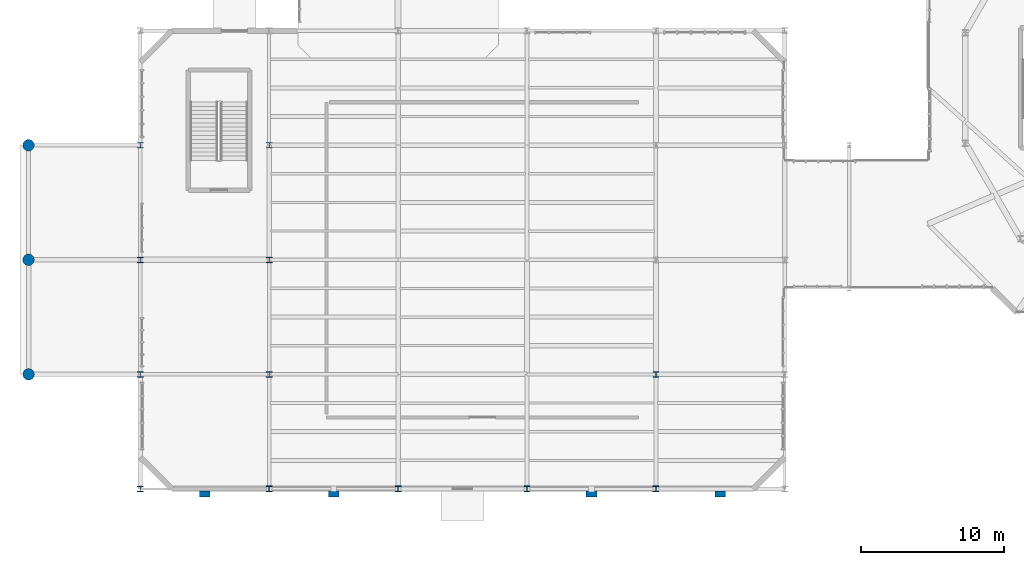
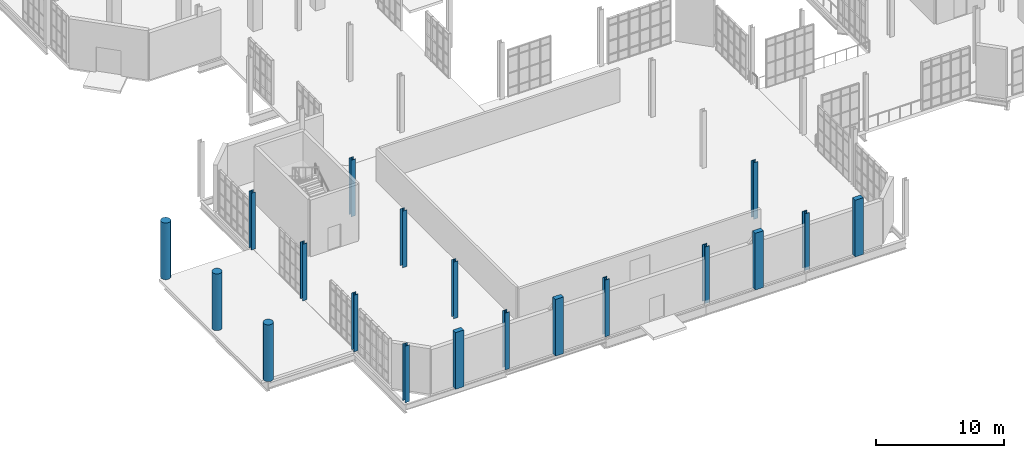
# One storey, part 1 of 189: 19 columns.
"""IFC4 building model written with IfcOpenShell, lengths in metres."""

from ifc_helpers import new_model, si_unit, direction, frame, origin, origin_2d, place, context, subcontext, project, spatial, rectangle, circle, i_section, extrude, material, material_profile, profile_set, type_object, element, save


model = new_model("IFC4")

# Units and contexts
model_context = context("Model", 3, precision=1e-05, world=origin(), true_north=direction((0.0, 1.0)))
body_context = subcontext(model_context, "Body", "Model", "MODEL_VIEW")
ifc_project = project(units=[si_unit("LENGTHUNIT", "METRE"), si_unit("AREAUNIT", "SQUARE_METRE"), si_unit("VOLUMEUNIT", "CUBIC_METRE"), si_unit("PLANEANGLEUNIT", "RADIAN"), si_unit("MASSUNIT", "GRAM", prefix="KILO"), si_unit("THERMODYNAMICTEMPERATUREUNIT", "KELVIN"), si_unit("POWERUNIT", "WATT")], contexts=[model_context])

# Site, building, storey
site_placement = place(None, origin())
site = spatial("IfcSite", under=ifc_project, at=site_placement, CompositionType="ELEMENT")
building_placement = place(site_placement, origin())
building = spatial("IfcBuilding", under=site, at=building_placement, Name="Zelmaris Science Centre", CompositionType="ELEMENT")
storey_placement = place(building_placement, origin())
storey = spatial("IfcBuildingStorey", under=building, at=storey_placement, Name="L00", CompositionType="ELEMENT", Elevation=0.0)

# Columns
ifc_material_1 = material(Name="Steel ASTM A992 Grade 50", Category="steel")
ifc_material_profile_1 = material_profile(ifc_material_1, i_section(OverallWidth=0.406005859375, OverallDepth=0.4169921875, WebThickness=0.02978515625, FlangeThickness=0.04443359375, FilletRadius=0.014892578125, at=origin_2d()), Name="W14X257")
ifc_profile_set_1 = profile_set([ifc_material_profile_1], Name="Steel ASTM A992 Grade 50")
column_type_1 = type_object("IfcColumnType", Name="Column C-02 W14X257", PredefinedType="COLUMN", material=ifc_profile_set_1)
for number, where, z_axis, x_axis, name in (
    (1, (18.0, 8.0, 0.0), (0.0, 0.0, 1.0), (1.0, 0.0, 0.0), "Column V3-P-18-8 L00"),
    (2, (27.0, 8.0, 0.0), (0.0, 0.0, 1.0), (1.0, 0.0, 0.0), "Column V3-P-27-8 L00"),
    (3, (36.0, 8.0, 0.0), (0.0, 0.0, 1.0), (1.0, 0.0, 0.0), "Column V3-P-36-8 L00"),
    (4, (45.0, 8.0, 0.0), (0.0, 0.0, 1.0), (1.0, 0.0, 0.0), "Column V3-P-45-8 L00"),
):
    element("IfcColumn", number, at=place(storey_placement, frame(where, z_axis=z_axis, x_axis=x_axis)), inside=storey, type_object=column_type_1, Name=name, PredefinedType="COLUMN", context=body_context, shape_type="SweptSolid", body=[
        extrude(i_section(OverallWidth=0.406005859375, OverallDepth=0.4169921875, WebThickness=0.02978515625, FlangeThickness=0.04443359375, FilletRadius=0.014892578125, at=origin_2d()), origin(), (0.0, 0.0, 1.0), 5.39990234375),
    ])
ifc_material_profile_2 = material_profile(ifc_material_1, i_section(OverallWidth=0.39892578125, OverallDepth=0.385986328125, WebThickness=0.02099609375, FlangeThickness=0.033203125, FilletRadius=0.014892578125, at=origin_2d()), Name="W14X176")
ifc_profile_set_2 = profile_set([ifc_material_profile_2], Name="Steel ASTM A992 Grade 50")
column_type_2 = type_object("IfcColumnType", Name="Column C-04 W14X176", PredefinedType="COLUMN", material=ifc_profile_set_2)
column_placement = place(storey_placement, frame((9.0, 8.0, 0.0), z_axis=(0.0, 0.0, 1.0), x_axis=(1.0, 0.0, 0.0)))
element("IfcColumn", 5, at=column_placement, inside=storey, type_object=column_type_2, Name="Column V3-P-9-8 L00", PredefinedType="COLUMN", context=body_context, shape_type="SweptSolid", body=[
    extrude(i_section(OverallWidth=0.39892578125, OverallDepth=0.385986328125, WebThickness=0.02099609375, FlangeThickness=0.033203125, FilletRadius=0.014892578125, at=origin_2d()), origin(), (0.0, 0.0, 1.0), 5.39990234375),
])
ifc_material_profile_3 = material_profile(ifc_material_1, i_section(OverallWidth=0.39404296875, OverallDepth=0.3759765625, WebThickness=0.017333984375, FlangeThickness=0.027587890625, FilletRadius=0.014892578125, at=origin_2d()), Name="W14X145")
ifc_profile_set_3 = profile_set([ifc_material_profile_3], Name="Steel ASTM A992 Grade 50")
column_type_3 = type_object("IfcColumnType", Name="Column C-05 W14X145", PredefinedType="COLUMN", material=ifc_profile_set_3)
for number, where, z_axis, x_axis, name in (
    (6, (9.0, 16.0, 0.0), (0.0, 0.0, 1.0), (1.0, 0.0, 0.0), "Column V3-F-9-16 L00"),
    (7, (9.0, 24.0, 0.0), (0.0, 0.0, 1.0), (1.0, 0.0, 0.0), "Column V3-F-9-24 L00"),
    (8, (9.0, 32.0, 0.0), (0.0, 0.0, 1.0), (1.0, 0.0, 0.0), "Column V3-F-9-32 L00"),
    (9, (18.0, 16.0, 0.0), (0.0, 0.0, 1.0), (1.0, 0.0, 0.0), "Column V3-F-18-16 L00"),
    (10, (18.0, 24.0, 0.0), (0.0, 0.0, 1.0), (1.0, 0.0, 0.0), "Column V3-F-18-24 L00"),
    (11, (18.0, 32.0, 0.0), (0.0, 0.0, 1.0), (1.0, 0.0, 0.0), "Column V3-F-18-32 L00"),
    (12, (45.0, 16.0, 0.0), (0.0, 0.0, 1.0), (1.0, 0.0, 0.0), "Column V3-F-45-16 L00"),
):
    element("IfcColumn", number, at=place(storey_placement, frame(where, z_axis=z_axis, x_axis=x_axis)), inside=storey, type_object=column_type_3, Name=name, PredefinedType="COLUMN", context=body_context, shape_type="SweptSolid", body=[
        extrude(i_section(OverallWidth=0.39404296875, OverallDepth=0.3759765625, WebThickness=0.017333984375, FlangeThickness=0.027587890625, FilletRadius=0.014892578125, at=origin_2d()), origin(), (0.0, 0.0, 1.0), 5.39990234375),
    ])
ifc_material_2 = material(Name="Yucatan limestone ashlar masonry", Category="masonry")
ifc_material_profile_4 = material_profile(ifc_material_2, circle(Radius=0.39990234375, at=origin_2d()), Name="COL-LIM-D800")
ifc_profile_set_4 = profile_set([ifc_material_profile_4], Name="Yucatan limestone ashlar masonry")
column_type_4 = type_object("IfcColumnType", Name="Column C-17 COL-LIM-D800", PredefinedType="COLUMN", material=ifc_profile_set_4)
for number, where, z_axis, x_axis, name in (
    (13, (1.199951171875, 16.0, 0.0), (0.0, 0.0, 1.0), (1.0, 0.0, 0.0), "Column V3-WP-16 L00"),
    (14, (1.199951171875, 24.0, 0.0), (0.0, 0.0, 1.0), (1.0, 0.0, 0.0), "Column V3-WP-24 L00"),
    (15, (1.199951171875, 32.0, 0.0), (0.0, 0.0, 1.0), (1.0, 0.0, 0.0), "Column V3-WP-32 L00"),
):
    element("IfcColumn", number, at=place(storey_placement, frame(where, z_axis=z_axis, x_axis=x_axis)), inside=storey, type_object=column_type_4, Name=name, PredefinedType="COLUMN", context=body_context, shape_type="SweptSolid", body=[
        extrude(circle(Radius=0.39990234375, at=origin_2d()), origin(), (0.0, 0.0, 1.0), 5.39990234375),
    ])
ifc_material_profile_5 = material_profile(ifc_material_2, rectangle(XDim=0.75, YDim=0.419921875, at=origin_2d()), Name="PIL-LIM-750X420")
ifc_profile_set_5 = profile_set([ifc_material_profile_5], Name="Yucatan limestone ashlar masonry")
column_type_5 = type_object("IfcColumnType", Name="Pilaster PL-01 PIL-LIM-750X420", PredefinedType="PILASTER", material=ifc_profile_set_5)
for number, where, z_axis, x_axis, name in (
    (16, (13.5, 7.64990234375, 0.0), (0.0, 0.0, 1.0), (1.0, 0.0, 0.0), "Limestone pilaster PIL-V3S-1 L00"),
    (17, (22.5, 7.64990234375, 0.0), (0.0, 0.0, 1.0), (1.0, 0.0, 0.0), "Limestone pilaster PIL-V3S-2 L00"),
    (18, (40.5, 7.64990234375, 0.0), (0.0, 0.0, 1.0), (1.0, 0.0, 0.0), "Limestone pilaster PIL-V3S-3 L00"),
    (19, (49.5, 7.64990234375, 0.0), (0.0, 0.0, 1.0), (1.0, 0.0, 0.0), "Limestone pilaster PIL-V3S-4 L00"),
):
    element("IfcColumn", number, at=place(storey_placement, frame(where, z_axis=z_axis, x_axis=x_axis)), inside=storey, type_object=column_type_5, Name=name, PredefinedType="PILASTER", context=body_context, shape_type="SweptSolid", body=[
        extrude(rectangle(XDim=0.75, YDim=0.419921875, at=origin_2d()), origin(), (0.0, 0.0, 1.0), 5.39990234375),
    ])

save(model, "model.ifc")
